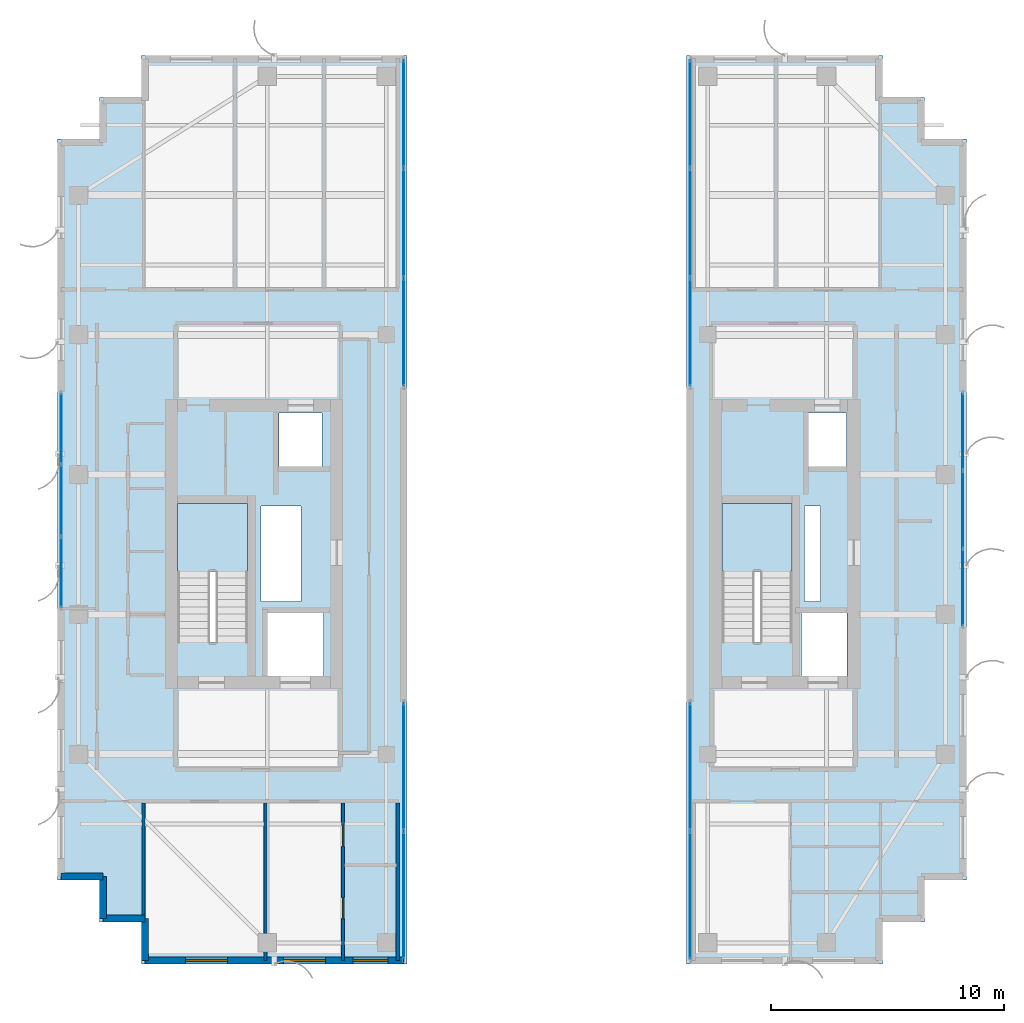
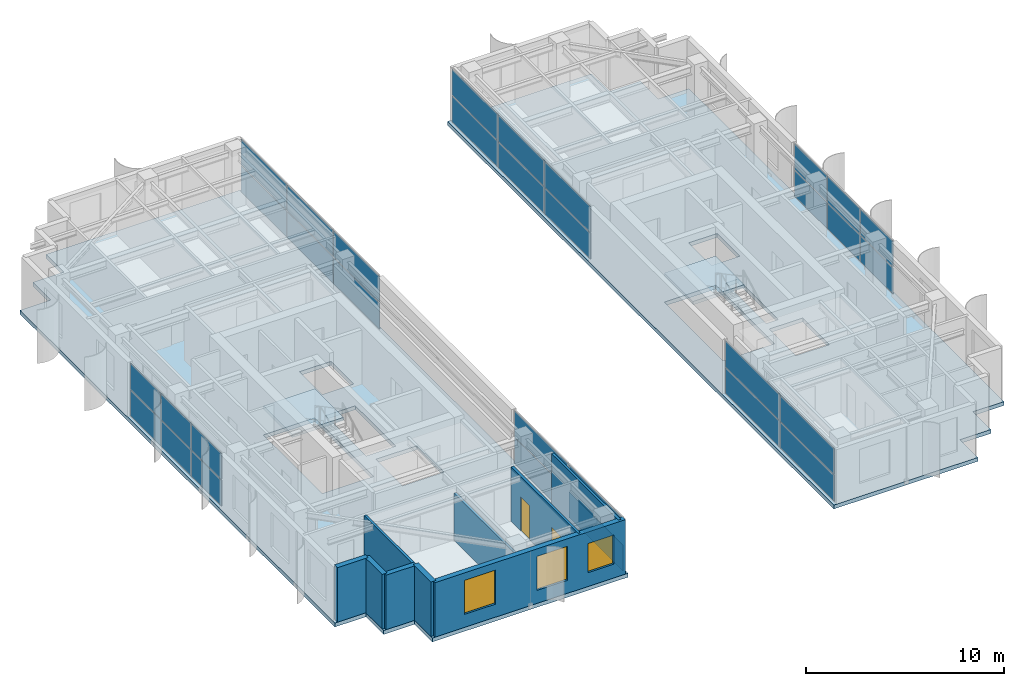
# One storey, part 17 of 24: 32 plates, 9 walls, 4 slabs, 3 windows, 2 doors, 5 openings, 8 elements without a shape of their own.
"""IFC4 building model written with IfcOpenShell, lengths in metres."""

from ifc_helpers import new_model, si_unit, direction, frame, frame_2d, origin, origin_2d, place, context, subcontext, project, spatial, polyline, rectangle, outline, extrude, source, transform, mapped, material, layer, layer_set, type_object, element, fill, aggregate, save


model = new_model("IFC4")

# Units and contexts
model_context = context("Model", 3, precision=1e-05, world=origin(), true_north=direction((0.0, 1.0)))
body_context = subcontext(model_context, "Body", "Model", "MODEL_VIEW")
ifc_project = project(units=[si_unit("LENGTHUNIT", "METRE"), si_unit("AREAUNIT", "SQUARE_METRE"), si_unit("VOLUMEUNIT", "CUBIC_METRE"), si_unit("PLANEANGLEUNIT", "RADIAN"), si_unit("MASSUNIT", "GRAM", prefix="KILO")], contexts=[model_context])

# Site, building, storey
site_placement = place(None, origin())
site = spatial("IfcSite", under=ifc_project, at=site_placement, CompositionType="ELEMENT")
building_placement = place(site_placement, origin())
building = spatial("IfcBuilding", under=site, at=building_placement, Name="Khoralis Quay Care Tower", CompositionType="ELEMENT")
storey_placement = place(building_placement, frame((0.0, 0.0, 231.300048828125)))
storey = spatial("IfcBuildingStorey", under=building, at=storey_placement, Name="L60", CompositionType="ELEMENT", Elevation=231.300048828125)

# Stair, slab
ifc_material_1 = material(Name="Precast concrete C45/55", Category="concrete")
stair_type = type_object("IfcStairType", Name="ST-TWR-DOGLEG-1400", PredefinedType="HALF_TURN_STAIR", material=ifc_material_1)
stair_1_placement = place(storey_placement, origin())
stair_1 = element("IfcStair", 1, at=stair_1_placement, inside=storey, type_object=stair_type, Name="L60 West Core Exit Stair ST-T1", PredefinedType="HALF_TURN_STAIR")
ifc_layer_1 = layer(ifc_material_1, 0.199951171875)
ifc_layer_set_1 = layer_set([ifc_layer_1], Name="Precast concrete C45/55")
slab_type_1 = type_object("IfcSlabType", Name="SLB-LANDING-200", PredefinedType="LANDING", material=ifc_layer_set_1)
slab_1_placement = place(storey_placement, frame((0.0, 0.0, 1.599853515625)))
slab_1 = element("IfcSlab", 2, at=slab_1_placement, type_object=slab_type_1, Name="ST-T1 landing 1", PredefinedType="LANDING", context=body_context, shape_type="SweptSolid", body=[
    extrude(outline(polyline([(11.14990234375, 19.840087890625), (11.14990234375, 22.75), (8.14990234375, 22.75), (8.14990234375, 19.840087890625), (11.14990234375, 19.840087890625)])), origin(), (0.0, 0.0, 1.0), 0.2001953125),
])
aggregate(stair_1, [slab_1])

stair_2_placement = place(storey_placement, origin())
stair_2 = element("IfcStair", 3, at=stair_2_placement, inside=storey, type_object=stair_type, Name="L60 East Core Exit Stair ST-T2", PredefinedType="HALF_TURN_STAIR")
slab_2_placement = place(storey_placement, frame((0.0, 0.0, 1.599853515625)))
slab_2 = element("IfcSlab", 4, at=slab_2_placement, type_object=slab_type_1, Name="ST-T2 landing 1", PredefinedType="LANDING", context=body_context, shape_type="SweptSolid", body=[
    extrude(outline(polyline([(34.52001953125, 19.840087890625), (34.52001953125, 22.75), (31.52001953125, 22.75), (31.52001953125, 19.840087890625), (34.52001953125, 19.840087890625)])), origin(), (0.0, 0.0, 1.0), 0.2001953125),
])
aggregate(stair_2, [slab_2])

# Slabs
ifc_material_2 = material(Name="Concrete C40/50", Category="concrete")
ifc_layer_2 = layer(ifc_material_2, 0.239990234375)
ifc_layer_set_2 = layer_set([ifc_layer_2], Name="Concrete C40/50")
slab_type_2 = type_object("IfcSlabType", Name="SLB-TWR-240", PredefinedType="FLOOR", material=ifc_layer_set_2)
slab_3_placement = place(storey_placement, frame((0.0, 0.0, -0.239990234375)))
element("IfcSlab", 5, at=slab_3_placement, inside=storey, type_object=slab_type_2, Name="Tower Wing 1 Slab L60", PredefinedType="FLOOR", context=body_context, shape_type="SweptSolid", body=[
    extrude(outline(polyline([(6.60009765625, 3.0), (18.0, 3.0), (18.0, 42.0), (6.60009765625, 42.0), (6.60009765625, 40.199951171875), (4.800048828125, 40.199951171875), (4.800048828125, 38.39990234375), (3.0, 38.39990234375), (3.0, 6.60009765625), (4.800048828125, 6.60009765625), (4.800048828125, 4.800048828125), (6.60009765625, 4.800048828125), (6.60009765625, 3.0)]), holes=[polyline([(11.14990234375, 16.800048828125), (11.14990234375, 22.75), (8.14990234375, 22.75), (8.14990234375, 16.800048828125), (11.14990234375, 16.800048828125)]), polyline([(12.0, 15.35009765625), (14.39990234375, 15.35009765625), (14.39990234375, 18.050048828125), (12.0, 18.050048828125), (12.0, 15.35009765625)]), polyline([(12.5, 24.35009765625), (14.35009765625, 24.35009765625), (14.35009765625, 26.64990234375), (12.5, 26.64990234375), (12.5, 24.35009765625)]), polyline([(11.719970703125, 18.550048828125), (13.449951171875, 18.550048828125), (13.449951171875, 22.64990234375), (11.719970703125, 22.64990234375), (11.719970703125, 18.550048828125)])]), origin(), (0.0, 0.0, 1.0), 0.239990234375),
])
slab_4_placement = place(storey_placement, frame((0.0, 0.0, -0.239990234375)))
element("IfcSlab", 6, at=slab_4_placement, inside=storey, type_object=slab_type_2, Name="Tower Wing 2 Slab L60", PredefinedType="FLOOR", context=body_context, shape_type="SweptSolid", body=[
    extrude(outline(polyline([(30.0, 3.0), (38.39990234375, 3.0), (38.39990234375, 4.800048828125), (40.199951171875, 4.800048828125), (40.199951171875, 6.60009765625), (42.0, 6.60009765625), (42.0, 38.39990234375), (40.199951171875, 38.39990234375), (40.199951171875, 40.199951171875), (38.39990234375, 40.199951171875), (38.39990234375, 42.0), (30.0, 42.0), (30.0, 3.0)]), holes=[polyline([(34.52001953125, 16.800048828125), (34.52001953125, 22.75), (31.52001953125, 22.75), (31.52001953125, 16.800048828125), (34.52001953125, 16.800048828125)]), polyline([(34.919921875, 15.35009765625), (36.8798828125, 15.35009765625), (36.8798828125, 18.050048828125), (34.919921875, 18.050048828125), (34.919921875, 15.35009765625)]), polyline([(35.199951171875, 24.35009765625), (36.85009765625, 24.35009765625), (36.85009765625, 26.64990234375), (35.199951171875, 26.64990234375), (35.199951171875, 24.35009765625)]), polyline([(35.050048828125, 18.550048828125), (35.75, 18.550048828125), (35.75, 22.64990234375), (35.050048828125, 22.64990234375), (35.050048828125, 18.550048828125)])]), origin(), (0.0, 0.0, 1.0), 0.239990234375),
])

# Curtain wall, plates
ifc_material_3 = material(Name="Pale anodised aluminium", Category="aluminium")
ifc_layer_3 = layer(ifc_material_3, 0.18994140625)
ifc_layer_set_3 = layer_set([ifc_layer_3], Name="Pale anodised aluminium")
curtain_wall_type_1 = type_object("IfcCurtainWallType", Name="CW-SYS-PORTAL", PredefinedType="NOTDEFINED", material=ifc_layer_set_3)
curtain_wall_1_placement = place(storey_placement, origin())
curtain_wall_1 = element("IfcCurtainWall", 7, at=curtain_wall_1_placement, inside=storey, type_object=curtain_wall_type_1, Name="L60 Unitised Curtain Wall CW-VP-L60-P1-S", PredefinedType="NOTDEFINED")
ifc_material_4 = material(Name="Low-E solar-control double glazing", Category="glass")
ifc_layer_4 = layer(ifc_material_4, 0.031982421875)
ifc_layer_set_4 = layer_set([ifc_layer_4], Name="Low-E solar-control double glazing")
plate_type = type_object("IfcPlateType", Name="PNL-VIS-32", PredefinedType="CURTAIN_PANEL", material=ifc_layer_set_4)
shared_shape_1 = source(origin(), body_context, "Body", "SweptSolid", [
    extrude(rectangle(XDim=5.4599609375, YDim=0.028076171875, at=origin_2d()), origin(), (0.0, 0.0, 1.0), 1.590087890625),
])
plate_1_placement = place(storey_placement, frame((17.85009765625, 5.93994140625, 0.06005859375), z_axis=(0.0, 0.0, 1.0), x_axis=(0.0, 1.0, 0.0)))
plate_1 = element("IfcPlate", 8, at=plate_1_placement, type_object=plate_type, Name="CW4 panel 1.1", PredefinedType="CURTAIN_PANEL", context=body_context, shape_type="MappedRepresentation", body=[
    mapped(shared_shape_1, transform((0.0, 0.0, 0.0), scale=1.0)),
])
plate_2_placement = place(storey_placement, frame((17.85009765625, 5.93994140625, 1.7099609375), z_axis=(0.0, 0.0, 1.0), x_axis=(0.0, 1.0, 0.0)))
plate_2 = element("IfcPlate", 9, at=plate_2_placement, type_object=plate_type, Name="CW4 panel 1.2", PredefinedType="CURTAIN_PANEL", context=body_context, shape_type="MappedRepresentation", body=[
    mapped(shared_shape_1, transform((0.0, 0.0, 0.0), scale=1.0)),
])
plate_3_placement = place(storey_placement, frame((17.85009765625, 11.4599609375, 0.06005859375), z_axis=(0.0, 0.0, 1.0), x_axis=(0.0, 1.0, 0.0)))
plate_3 = element("IfcPlate", 10, at=plate_3_placement, type_object=plate_type, Name="CW4 panel 2.1", PredefinedType="CURTAIN_PANEL", context=body_context, shape_type="MappedRepresentation", body=[
    mapped(shared_shape_1, transform((0.0, 0.0, 0.0), scale=1.0)),
])
plate_4_placement = place(storey_placement, frame((17.85009765625, 11.4599609375, 1.7099609375), z_axis=(0.0, 0.0, 1.0), x_axis=(0.0, 1.0, 0.0)))
plate_4 = element("IfcPlate", 11, at=plate_4_placement, type_object=plate_type, Name="CW4 panel 2.2", PredefinedType="CURTAIN_PANEL", context=body_context, shape_type="MappedRepresentation", body=[
    mapped(shared_shape_1, transform((0.0, 0.0, 0.0), scale=1.0)),
])
aggregate(curtain_wall_1, [plate_1, plate_2, plate_3, plate_4])

curtain_wall_2_placement = place(storey_placement, origin())
curtain_wall_2 = element("IfcCurtainWall", 12, at=curtain_wall_2_placement, inside=storey, type_object=curtain_wall_type_1, Name="L60 Unitised Curtain Wall CW-VP-L60-P2-S", PredefinedType="NOTDEFINED")
plate_5_placement = place(storey_placement, frame((30.14990234375, 5.93994140625, 0.06005859375), z_axis=(0.0, 0.0, 1.0), x_axis=(0.0, 1.0, 0.0)))
plate_5 = element("IfcPlate", 13, at=plate_5_placement, type_object=plate_type, Name="CW4 panel 1.1", PredefinedType="CURTAIN_PANEL", context=body_context, shape_type="MappedRepresentation", body=[
    mapped(shared_shape_1, transform((0.0, 0.0, 0.0), scale=1.0)),
])
plate_6_placement = place(storey_placement, frame((30.14990234375, 5.93994140625, 1.7099609375), z_axis=(0.0, 0.0, 1.0), x_axis=(0.0, 1.0, 0.0)))
plate_6 = element("IfcPlate", 14, at=plate_6_placement, type_object=plate_type, Name="CW4 panel 1.2", PredefinedType="CURTAIN_PANEL", context=body_context, shape_type="MappedRepresentation", body=[
    mapped(shared_shape_1, transform((0.0, 0.0, 0.0), scale=1.0)),
])
plate_7_placement = place(storey_placement, frame((30.14990234375, 11.4599609375, 0.06005859375), z_axis=(0.0, 0.0, 1.0), x_axis=(0.0, 1.0, 0.0)))
plate_7 = element("IfcPlate", 15, at=plate_7_placement, type_object=plate_type, Name="CW4 panel 2.1", PredefinedType="CURTAIN_PANEL", context=body_context, shape_type="MappedRepresentation", body=[
    mapped(shared_shape_1, transform((0.0, 0.0, 0.0), scale=1.0)),
])
plate_8_placement = place(storey_placement, frame((30.14990234375, 11.4599609375, 1.7099609375), z_axis=(0.0, 0.0, 1.0), x_axis=(0.0, 1.0, 0.0)))
plate_8 = element("IfcPlate", 16, at=plate_8_placement, type_object=plate_type, Name="CW4 panel 2.2", PredefinedType="CURTAIN_PANEL", context=body_context, shape_type="MappedRepresentation", body=[
    mapped(shared_shape_1, transform((0.0, 0.0, 0.0), scale=1.0)),
])
aggregate(curtain_wall_2, [plate_5, plate_6, plate_7, plate_8])

curtain_wall_3_placement = place(storey_placement, origin())
curtain_wall_3 = element("IfcCurtainWall", 17, at=curtain_wall_3_placement, inside=storey, type_object=curtain_wall_type_1, Name="L60 Unitised Curtain Wall CW-VP-L60-P1-N", PredefinedType="NOTDEFINED")
shared_shape_2 = source(origin(), body_context, "Body", "SweptSolid", [
    extrude(rectangle(XDim=4.610107421875, YDim=0.028076171875, at=origin_2d()), origin(), (0.0, 0.0, 1.0), 1.590087890625),
])
plate_9_placement = place(storey_placement, frame((17.85009765625, 30.114990234375, 0.06005859375), z_axis=(0.0, 0.0, 1.0), x_axis=(0.0, 1.0, 0.0)))
plate_9 = element("IfcPlate", 18, at=plate_9_placement, type_object=plate_type, Name="CW4 panel 1.1", PredefinedType="CURTAIN_PANEL", context=body_context, shape_type="MappedRepresentation", body=[
    mapped(shared_shape_2, transform((0.0, 0.0, 0.0), scale=1.0)),
])
plate_10_placement = place(storey_placement, frame((17.85009765625, 30.114990234375, 1.7099609375), z_axis=(0.0, 0.0, 1.0), x_axis=(0.0, 1.0, 0.0)))
plate_10 = element("IfcPlate", 19, at=plate_10_placement, type_object=plate_type, Name="CW4 panel 1.2", PredefinedType="CURTAIN_PANEL", context=body_context, shape_type="MappedRepresentation", body=[
    mapped(shared_shape_2, transform((0.0, 0.0, 0.0), scale=1.0)),
])
plate_11_placement = place(storey_placement, frame((17.85009765625, 39.485107421875, 0.06005859375), z_axis=(0.0, 0.0, 1.0), x_axis=(0.0, 1.0, 0.0)))
plate_11 = element("IfcPlate", 20, at=plate_11_placement, type_object=plate_type, Name="CW4 panel 3.1", PredefinedType="CURTAIN_PANEL", context=body_context, shape_type="MappedRepresentation", body=[
    mapped(shared_shape_2, transform((0.0, 0.0, 0.0), scale=1.0)),
])
plate_12_placement = place(storey_placement, frame((17.85009765625, 39.485107421875, 1.7099609375), z_axis=(0.0, 0.0, 1.0), x_axis=(0.0, 1.0, 0.0)))
plate_12 = element("IfcPlate", 21, at=plate_12_placement, type_object=plate_type, Name="CW4 panel 3.2", PredefinedType="CURTAIN_PANEL", context=body_context, shape_type="MappedRepresentation", body=[
    mapped(shared_shape_2, transform((0.0, 0.0, 0.0), scale=1.0)),
])

curtain_wall_4_placement = place(storey_placement, origin())
curtain_wall_4 = element("IfcCurtainWall", 22, at=curtain_wall_4_placement, inside=storey, type_object=curtain_wall_type_1, Name="L60 Unitised Curtain Wall CW-VP-L60-P2-N", PredefinedType="NOTDEFINED")
plate_13_placement = place(storey_placement, frame((30.14990234375, 30.114990234375, 0.06005859375), z_axis=(0.0, 0.0, 1.0), x_axis=(0.0, 1.0, 0.0)))
plate_13 = element("IfcPlate", 23, at=plate_13_placement, type_object=plate_type, Name="CW4 panel 1.1", PredefinedType="CURTAIN_PANEL", context=body_context, shape_type="MappedRepresentation", body=[
    mapped(shared_shape_2, transform((0.0, 0.0, 0.0), scale=1.0)),
])
plate_14_placement = place(storey_placement, frame((30.14990234375, 30.114990234375, 1.7099609375), z_axis=(0.0, 0.0, 1.0), x_axis=(0.0, 1.0, 0.0)))
plate_14 = element("IfcPlate", 24, at=plate_14_placement, type_object=plate_type, Name="CW4 panel 1.2", PredefinedType="CURTAIN_PANEL", context=body_context, shape_type="MappedRepresentation", body=[
    mapped(shared_shape_2, transform((0.0, 0.0, 0.0), scale=1.0)),
])
plate_15_placement = place(storey_placement, frame((30.14990234375, 39.485107421875, 0.06005859375), z_axis=(0.0, 0.0, 1.0), x_axis=(0.0, 1.0, 0.0)))
plate_15 = element("IfcPlate", 25, at=plate_15_placement, type_object=plate_type, Name="CW4 panel 3.1", PredefinedType="CURTAIN_PANEL", context=body_context, shape_type="MappedRepresentation", body=[
    mapped(shared_shape_2, transform((0.0, 0.0, 0.0), scale=1.0)),
])
plate_16_placement = place(storey_placement, frame((30.14990234375, 39.485107421875, 1.7099609375), z_axis=(0.0, 0.0, 1.0), x_axis=(0.0, 1.0, 0.0)))
plate_16 = element("IfcPlate", 26, at=plate_16_placement, type_object=plate_type, Name="CW4 panel 3.2", PredefinedType="CURTAIN_PANEL", context=body_context, shape_type="MappedRepresentation", body=[
    mapped(shared_shape_2, transform((0.0, 0.0, 0.0), scale=1.0)),
])

# Plate
shared_shape_3 = source(origin(), body_context, "Body", "SweptSolid", [
    extrude(rectangle(XDim=4.639892578125, YDim=0.028076171875, at=origin_2d()), origin(), (0.0, 0.0, 1.0), 1.590087890625),
])
plate_17_placement = place(storey_placement, frame((17.85009765625, 34.800048828125, 0.06005859375), z_axis=(0.0, 0.0, 1.0), x_axis=(0.0, 1.0, 0.0)))
plate_17 = element("IfcPlate", 27, at=plate_17_placement, type_object=plate_type, Name="CW4 panel 2.1", PredefinedType="CURTAIN_PANEL", context=body_context, shape_type="MappedRepresentation", body=[
    mapped(shared_shape_3, transform((0.0, 0.0, 0.0), scale=1.0)),
])

plate_18_placement = place(storey_placement, frame((17.85009765625, 34.800048828125, 1.7099609375), z_axis=(0.0, 0.0, 1.0), x_axis=(0.0, 1.0, 0.0)))
plate_18 = element("IfcPlate", 28, at=plate_18_placement, type_object=plate_type, Name="CW4 panel 2.2", PredefinedType="CURTAIN_PANEL", context=body_context, shape_type="MappedRepresentation", body=[
    mapped(shared_shape_3, transform((0.0, 0.0, 0.0), scale=1.0)),
])

aggregate(curtain_wall_3, [plate_9, plate_10, plate_17, plate_18, plate_11, plate_12])

plate_19_placement = place(storey_placement, frame((30.14990234375, 34.800048828125, 0.06005859375), z_axis=(0.0, 0.0, 1.0), x_axis=(0.0, 1.0, 0.0)))
plate_19 = element("IfcPlate", 29, at=plate_19_placement, type_object=plate_type, Name="CW4 panel 2.1", PredefinedType="CURTAIN_PANEL", context=body_context, shape_type="MappedRepresentation", body=[
    mapped(shared_shape_3, transform((0.0, 0.0, 0.0), scale=1.0)),
])

plate_20_placement = place(storey_placement, frame((30.14990234375, 34.800048828125, 1.7099609375), z_axis=(0.0, 0.0, 1.0), x_axis=(0.0, 1.0, 0.0)))
plate_20 = element("IfcPlate", 30, at=plate_20_placement, type_object=plate_type, Name="CW4 panel 2.2", PredefinedType="CURTAIN_PANEL", context=body_context, shape_type="MappedRepresentation", body=[
    mapped(shared_shape_3, transform((0.0, 0.0, 0.0), scale=1.0)),
])

aggregate(curtain_wall_4, [plate_13, plate_14, plate_19, plate_20, plate_15, plate_16])

# Curtain wall, plates
ifc_layer_5 = layer(ifc_material_3, 0.159912109375)
ifc_layer_set_5 = layer_set([ifc_layer_5], Name="Pale anodised aluminium")
curtain_wall_type_2 = type_object("IfcCurtainWallType", Name="CW-SYS-Z3", PredefinedType="NOTDEFINED", material=ifc_layer_set_5)
curtain_wall_5_placement = place(storey_placement, origin())
curtain_wall_5 = element("IfcCurtainWall", 31, at=curtain_wall_5_placement, inside=storey, type_object=curtain_wall_type_2, Name="L60 Unitised Curtain Wall CW-L60-P2-E5", PredefinedType="NOTDEFINED")
shared_shape_4 = source(origin(), body_context, "Body", "SweptSolid", [
    extrude(rectangle(XDim=3.27001953125, YDim=0.028076171875, at=origin_2d()), origin(), (0.0, 0.0, 1.0), 1.590087890625),
])
plate_21_placement = place(storey_placement, frame((41.85009765625, 19.155029296875, 0.06005859375), z_axis=(0.0, 0.0, 1.0), x_axis=(0.0, 1.0, 0.0)))
plate_21 = element("IfcPlate", 32, at=plate_21_placement, type_object=plate_type, Name="CW3 panel 1.1", PredefinedType="CURTAIN_PANEL", context=body_context, shape_type="MappedRepresentation", body=[
    mapped(shared_shape_4, transform((0.0, 0.0, 0.0), scale=1.0)),
])
plate_22_placement = place(storey_placement, frame((41.85009765625, 19.155029296875, 1.7099609375), z_axis=(0.0, 0.0, 1.0), x_axis=(0.0, 1.0, 0.0)))
plate_22 = element("IfcPlate", 33, at=plate_22_placement, type_object=plate_type, Name="CW3 panel 1.2", PredefinedType="CURTAIN_PANEL", context=body_context, shape_type="MappedRepresentation", body=[
    mapped(shared_shape_4, transform((0.0, 0.0, 0.0), scale=1.0)),
])
plate_23_placement = place(storey_placement, frame((41.85009765625, 25.844970703125, 0.06005859375), z_axis=(0.0, 0.0, 1.0), x_axis=(0.0, 1.0, 0.0)))
plate_23 = element("IfcPlate", 34, at=plate_23_placement, type_object=plate_type, Name="CW3 panel 3.1", PredefinedType="CURTAIN_PANEL", context=body_context, shape_type="MappedRepresentation", body=[
    mapped(shared_shape_4, transform((0.0, 0.0, 0.0), scale=1.0)),
])
plate_24_placement = place(storey_placement, frame((41.85009765625, 25.844970703125, 1.7099609375), z_axis=(0.0, 0.0, 1.0), x_axis=(0.0, 1.0, 0.0)))
plate_24 = element("IfcPlate", 35, at=plate_24_placement, type_object=plate_type, Name="CW3 panel 3.2", PredefinedType="CURTAIN_PANEL", context=body_context, shape_type="MappedRepresentation", body=[
    mapped(shared_shape_4, transform((0.0, 0.0, 0.0), scale=1.0)),
])
shared_shape_5 = source(origin(), body_context, "Body", "SweptSolid", [
    extrude(rectangle(XDim=3.300048828125, YDim=0.028076171875, at=origin_2d()), origin(), (0.0, 0.0, 1.0), 1.590087890625),
])
plate_25_placement = place(storey_placement, frame((41.85009765625, 22.5, 0.06005859375), z_axis=(0.0, 0.0, 1.0), x_axis=(0.0, 1.0, 0.0)))
plate_25 = element("IfcPlate", 36, at=plate_25_placement, type_object=plate_type, Name="CW3 panel 2.1", PredefinedType="CURTAIN_PANEL", context=body_context, shape_type="MappedRepresentation", body=[
    mapped(shared_shape_5, transform((0.0, 0.0, 0.0), scale=1.0)),
])
plate_26_placement = place(storey_placement, frame((41.85009765625, 22.5, 1.7099609375), z_axis=(0.0, 0.0, 1.0), x_axis=(0.0, 1.0, 0.0)))
plate_26 = element("IfcPlate", 37, at=plate_26_placement, type_object=plate_type, Name="CW3 panel 2.2", PredefinedType="CURTAIN_PANEL", context=body_context, shape_type="MappedRepresentation", body=[
    mapped(shared_shape_5, transform((0.0, 0.0, 0.0), scale=1.0)),
])
aggregate(curtain_wall_5, [plate_21, plate_22, plate_25, plate_26, plate_23, plate_24])

curtain_wall_6_placement = place(storey_placement, origin())
curtain_wall_6 = element("IfcCurtainWall", 38, at=curtain_wall_6_placement, inside=storey, type_object=curtain_wall_type_2, Name="L60 Unitised Curtain Wall CW-L60-P1-E7", PredefinedType="NOTDEFINED")
shared_shape_6 = source(origin(), body_context, "Body", "SweptSolid", [
    extrude(rectangle(XDim=3.006591796875, YDim=0.028076171875, at=origin_2d()), origin(), (0.0, 0.0, 1.0), 1.590087890625),
])
plate_27_placement = place(storey_placement, frame((3.14990234375, 25.9765625, 0.06005859375), z_axis=(0.0, 0.0, 1.0), x_axis=(0.0, -1.0, 0.0)))
plate_27 = element("IfcPlate", 39, at=plate_27_placement, type_object=plate_type, Name="CW3 panel 1.1", PredefinedType="CURTAIN_PANEL", context=body_context, shape_type="MappedRepresentation", body=[
    mapped(shared_shape_6, transform((0.0, 0.0, 0.0), scale=1.0)),
])
plate_28_placement = place(storey_placement, frame((3.14990234375, 25.9765625, 1.7099609375), z_axis=(0.0, 0.0, 1.0), x_axis=(0.0, -1.0, 0.0)))
plate_28 = element("IfcPlate", 40, at=plate_28_placement, type_object=plate_type, Name="CW3 panel 1.2", PredefinedType="CURTAIN_PANEL", context=body_context, shape_type="MappedRepresentation", body=[
    mapped(shared_shape_6, transform((0.0, 0.0, 0.0), scale=1.0)),
])
plate_29_placement = place(storey_placement, frame((3.14990234375, 19.813232421875, 0.06005859375), z_axis=(0.0, 0.0, 1.0), x_axis=(0.0, -1.0, 0.0)))
plate_29 = element("IfcPlate", 41, at=plate_29_placement, type_object=plate_type, Name="CW3 panel 3.1", PredefinedType="CURTAIN_PANEL", context=body_context, shape_type="MappedRepresentation", body=[
    mapped(shared_shape_6, transform((0.0, 0.0, 0.0), scale=1.0)),
])
plate_30_placement = place(storey_placement, frame((3.14990234375, 19.813232421875, 1.7099609375), z_axis=(0.0, 0.0, 1.0), x_axis=(0.0, -1.0, 0.0)))
plate_30 = element("IfcPlate", 42, at=plate_30_placement, type_object=plate_type, Name="CW3 panel 3.2", PredefinedType="CURTAIN_PANEL", context=body_context, shape_type="MappedRepresentation", body=[
    mapped(shared_shape_6, transform((0.0, 0.0, 0.0), scale=1.0)),
])
shared_shape_7 = source(origin(), body_context, "Body", "SweptSolid", [
    extrude(rectangle(XDim=3.03662109375, YDim=0.028076171875, at=origin_2d()), origin(), (0.0, 0.0, 1.0), 1.590087890625),
])
plate_31_placement = place(storey_placement, frame((3.14990234375, 22.89501953125, 0.06005859375), z_axis=(0.0, 0.0, 1.0), x_axis=(0.0, -1.0, 0.0)))
plate_31 = element("IfcPlate", 43, at=plate_31_placement, type_object=plate_type, Name="CW3 panel 2.1", PredefinedType="CURTAIN_PANEL", context=body_context, shape_type="MappedRepresentation", body=[
    mapped(shared_shape_7, transform((0.0, 0.0, 0.0), scale=1.0)),
])
plate_32_placement = place(storey_placement, frame((3.14990234375, 22.89501953125, 1.7099609375), z_axis=(0.0, 0.0, 1.0), x_axis=(0.0, -1.0, 0.0)))
plate_32 = element("IfcPlate", 44, at=plate_32_placement, type_object=plate_type, Name="CW3 panel 2.2", PredefinedType="CURTAIN_PANEL", context=body_context, shape_type="MappedRepresentation", body=[
    mapped(shared_shape_7, transform((0.0, 0.0, 0.0), scale=1.0)),
])
aggregate(curtain_wall_6, [plate_27, plate_28, plate_31, plate_32, plate_29, plate_30])

# Wall, openings, windows
ifc_layer_6 = layer(ifc_material_1, 0.300048828125)
ifc_layer_set_6 = layer_set([ifc_layer_6], Name="Precast concrete C45/55")
wall_type_1 = type_object("IfcWallType", Name="WL-EXT-REF-300", PredefinedType="SOLIDWALL", material=ifc_layer_set_6)
wall_1_placement = place(storey_placement, frame((6.75, 3.14990234375, 0.0), z_axis=(0.0, 0.0, 1.0), x_axis=(1.0, 0.0, 0.0)))
wall_1 = element("IfcWall", 45, at=wall_1_placement, inside=storey, type_object=wall_type_1, Name="L60 External Facade Wall WL-EXT-L60-P1-E0", PredefinedType="SOLIDWALL", context=body_context, shape_type="SweptSolid", body=[
    extrude(rectangle(XDim=11.10009765625, YDim=0.300048828125, at=frame_2d((5.550048828125, 0.0))), origin(), (0.0, 0.0, 1.0), 3.35986328125),
])
opening_1_placement = place(wall_1_placement, frame((1.735107421875, 0.0, 0.800048828125)))
opening_1 = element("IfcOpeningElement", 46, at=opening_1_placement, cuts=wall_1, Name="Opening W2", PredefinedType="OPENING", context=body_context, shape_type="SweptSolid", body=[
    extrude(rectangle(XDim=1.800048828125, YDim=2.10009765625, at=frame_2d((0.89990234375, 1.050048828125))), frame((0.0, 0.16015625, 0.0), z_axis=(0.0, -1.0, 0.0), x_axis=(1.0, 0.0, 0.0)), (0.0, 0.0, 1.0), 0.320068359375),
])
opening_2_placement = place(wall_1_placement, frame((5.93505859375, 0.0, 0.800048828125)))
opening_2 = element("IfcOpeningElement", 47, at=opening_2_placement, cuts=wall_1, Name="Opening W2", PredefinedType="OPENING", context=body_context, shape_type="SweptSolid", body=[
    extrude(rectangle(XDim=1.800048828125, YDim=2.10009765625, at=frame_2d((0.89990234375, 1.050048828125))), frame((0.0, 0.16015625, 0.0), z_axis=(0.0, -1.0, 0.0), x_axis=(1.0, 0.0, 0.0)), (0.0, 0.0, 1.0), 0.320068359375),
])
opening_3_placement = place(wall_1_placement, frame((8.925048828125, 0.0, 0.85009765625)))
opening_3 = element("IfcOpeningElement", 48, at=opening_3_placement, cuts=wall_1, Name="Opening W3", PredefinedType="OPENING", context=body_context, shape_type="SweptSolid", body=[
    extrude(rectangle(XDim=1.5, YDim=1.800048828125, at=frame_2d((0.75, 0.89990234375))), frame((0.0, 0.16015625, 0.0), z_axis=(0.0, -1.0, 0.0), x_axis=(1.0, 0.0, 0.0)), (0.0, 0.0, 1.0), 0.320068359375),
])
window_type_1 = type_object("IfcWindowType", Name="WN-CLIN-1500X1800", PartitioningType="SINGLE_PANEL", PredefinedType="WINDOW", material=ifc_material_4)
shared_shape_8 = source(origin(), body_context, "Body", "SweptSolid", [
    extrude(rectangle(XDim=1.5, YDim=1.800048828125, at=frame_2d((0.75, 0.89990234375))), frame((0.0, 0.030029296875, 0.0), z_axis=(0.0, -1.0, 0.0), x_axis=(1.0, 0.0, 0.0)), (0.0, 0.0, 1.0), 0.06005859375),
])
window_1_placement = place(opening_3_placement, origin())
window_1 = element("IfcWindow", 49, at=window_1_placement, inside=storey, type_object=window_type_1, Name="WN-L60-P1-E0 Facade Window 03", OverallHeight=1.800048828125, OverallWidth=1.5, PartitioningType="SINGLE_PANEL", PredefinedType="WINDOW", context=body_context, shape_type="MappedRepresentation", body=[
    mapped(shared_shape_8, transform((0.0, 0.0, 0.0), scale=1.0)),
])
fill(opening_3, window_1)
window_type_2 = type_object("IfcWindowType", Name="WN-POD-1800X2100", PartitioningType="SINGLE_PANEL", PredefinedType="WINDOW", material=ifc_material_4)
shared_shape_9 = source(origin(), body_context, "Body", "SweptSolid", [
    extrude(rectangle(XDim=1.800048828125, YDim=2.10009765625, at=frame_2d((0.89990234375, 1.050048828125))), frame((0.0, 0.030029296875, 0.0), z_axis=(0.0, -1.0, 0.0), x_axis=(1.0, 0.0, 0.0)), (0.0, 0.0, 1.0), 0.06005859375),
])
window_2_placement = place(opening_1_placement, origin())
window_2 = element("IfcWindow", 50, at=window_2_placement, inside=storey, type_object=window_type_2, Name="WN-L60-P1-E0 Facade Window 01", OverallHeight=2.10009765625, OverallWidth=1.800048828125, PartitioningType="SINGLE_PANEL", PredefinedType="WINDOW", context=body_context, shape_type="MappedRepresentation", body=[
    mapped(shared_shape_9, transform((0.0, 0.0, 0.0), scale=1.0)),
])
fill(opening_1, window_2)
window_3_placement = place(opening_2_placement, origin())
window_3 = element("IfcWindow", 51, at=window_3_placement, inside=storey, type_object=window_type_2, Name="WN-L60-P1-E0 Facade Window 02", OverallHeight=2.10009765625, OverallWidth=1.800048828125, PartitioningType="SINGLE_PANEL", PredefinedType="WINDOW", context=body_context, shape_type="MappedRepresentation", body=[
    mapped(shared_shape_9, transform((0.0, 0.0, 0.0), scale=1.0)),
])
fill(opening_2, window_3)

# Walls
for number, where, z_axis, x_axis, name in (
    (52, (3.14990234375, 6.75, 0.0), (0.0, 0.0, 1.0), (1.0, 0.0, 0.0), "L60 External Facade Wall WL-EXT-L60-P1-C8"),
    (53, (4.949951171875, 6.75, 0.0), (0.0, 0.0, 1.0), (0.0, -1.0, 0.0), "L60 External Facade Wall WL-EXT-L60-P1-C9"),
    (54, (4.949951171875, 4.949951171875, 0.0), (0.0, 0.0, 1.0), (1.0, 0.0, 0.0), "L60 External Facade Wall WL-EXT-L60-P1-C10"),
    (55, (6.75, 4.949951171875, 0.0), (0.0, 0.0, 1.0), (0.0, -1.0, 0.0), "L60 External Facade Wall WL-EXT-L60-P1-C11"),
):
    element("IfcWall", number, at=place(storey_placement, frame(where, z_axis=z_axis, x_axis=x_axis)), inside=storey, type_object=wall_type_1, Name=name, PredefinedType="SOLIDWALL", context=body_context, shape_type="SweptSolid", body=[
        extrude(rectangle(XDim=1.800048828125, YDim=0.300048828125, at=frame_2d((0.89990234375, 0.0))), origin(), (0.0, 0.0, 1.0), 3.35986328125),
    ])

# Wall, openings, doors
ifc_material_5 = material(Name="Moisture-resistant gypsum and ceramic tile")
ifc_layer_7 = layer(ifc_material_5, 0.280029296875)
ifc_layer_set_7 = layer_set([ifc_layer_7], Name="Moisture-resistant gypsum and ceramic tile")
wall_type_2 = type_object("IfcWallType", Name="WL-PLUMB-280", PredefinedType="PLUMBINGWALL", material=ifc_layer_set_7)
wall_2_placement = place(storey_placement, frame((15.25, 3.14501953125, 0.0), z_axis=(0.0, 0.0, 1.0), x_axis=(0.0, 1.0, 0.0)))
wall_2 = element("IfcWall", 56, at=wall_2_placement, inside=storey, type_object=wall_type_2, Name="L60 Care Suite 1 En-Suite Wall V", PredefinedType="PLUMBINGWALL", context=body_context, shape_type="SweptSolid", body=[
    extrude(rectangle(XDim=6.757568359375, YDim=0.139892578125, at=frame_2d((3.37890625, 0.0))), origin(), (0.0, 0.0, 1.0), 3.35986328125),
])
opening_4_placement = place(wall_2_placement, frame((4.89501953125, 0.0, 0.0)))
opening_4 = element("IfcOpeningElement", 57, at=opening_4_placement, cuts=wall_2, Name="Opening WD1", PredefinedType="OPENING", context=body_context, shape_type="SweptSolid", body=[
    extrude(rectangle(XDim=0.89990234375, YDim=2.10009765625, at=frame_2d((0.449951171875, 1.050048828125))), frame((0.0, 0.080078125, 0.0), z_axis=(0.0, -1.0, 0.0), x_axis=(1.0, 0.0, 0.0)), (0.0, 0.0, 1.0), 0.159912109375),
])
opening_5_placement = place(wall_2_placement, frame((1.794921875, 0.0, 0.0)))
opening_5 = element("IfcOpeningElement", 58, at=opening_5_placement, cuts=wall_2, Name="Opening WD1", PredefinedType="OPENING", context=body_context, shape_type="SweptSolid", body=[
    extrude(rectangle(XDim=0.89990234375, YDim=2.10009765625, at=frame_2d((0.449951171875, 1.050048828125))), frame((0.0, 0.080078125, 0.0), z_axis=(0.0, -1.0, 0.0), x_axis=(1.0, 0.0, 0.0)), (0.0, 0.0, 1.0), 0.159912109375),
])
ifc_material_6 = material(Name="Acoustic hardwood timber", Category="wood")
door_type = type_object("IfcDoorType", Name="DR-BATH-900X2100", OperationType="NOTDEFINED", PredefinedType="DOOR", material=ifc_material_6)
shared_shape_10 = source(origin(), body_context, "Body", "SweptSolid", [
    extrude(rectangle(XDim=0.89990234375, YDim=2.10009765625, at=frame_2d((0.449951171875, 1.050048828125))), frame((0.0, 0.02490234375, 0.0), z_axis=(0.0, -1.0, 0.0), x_axis=(1.0, 0.0, 0.0)), (0.0, 0.0, 1.0), 0.050048828125),
])
door_1_placement = place(opening_4_placement, frame((0.89990234375, 0.0, 0.0), z_axis=(0.0, 0.0, 1.0), x_axis=(-1.0, 0.0, 0.0)))
door_1 = element("IfcDoor", 59, at=door_1_placement, inside=storey, type_object=door_type, Name="L60 Care CENS Door", OperationType="SINGLE_SWING_LEFT", OverallHeight=2.10009765625, OverallWidth=0.89990234375, PredefinedType="DOOR", context=body_context, shape_type="MappedRepresentation", body=[
    mapped(shared_shape_10, transform((0.0, 0.0, 0.0), scale=1.0)),
])
fill(opening_4, door_1)
door_2_placement = place(opening_5_placement, frame((0.89990234375, 0.0, 0.0), z_axis=(0.0, 0.0, 1.0), x_axis=(-1.0, 0.0, 0.0)))
door_2 = element("IfcDoor", 60, at=door_2_placement, inside=storey, type_object=door_type, Name="L60 Care CSIT Door", OperationType="SINGLE_SWING_RIGHT", OverallHeight=2.10009765625, OverallWidth=0.89990234375, PredefinedType="DOOR", context=body_context, shape_type="MappedRepresentation", body=[
    mapped(shared_shape_10, transform((0.0, 0.0, 0.0), scale=1.0)),
])
fill(opening_5, door_2)

# Walls
ifc_material_7 = material(Name="Gypsum plasterboard on acoustic metal stud")
ifc_layer_8 = layer(ifc_material_7, 0.139892578125)
ifc_layer_set_8 = layer_set([ifc_layer_8], Name="Gypsum plasterboard on acoustic metal stud")
wall_type_3 = type_object("IfcWallType", Name="WL-UNIT-140", PredefinedType="PARTITIONING", material=ifc_layer_set_8)
wall_3_placement = place(storey_placement, frame((6.679931640625, 4.945068359375, 0.0), z_axis=(0.0, 0.0, 1.0), x_axis=(0.0, 1.0, 0.0)))
element("IfcWall", 61, at=wall_3_placement, inside=storey, type_object=wall_type_3, Name="L60 WS Demising Wall 0", PredefinedType="PARTITIONING", context=body_context, shape_type="SweptSolid", body=[
    extrude(rectangle(XDim=4.95751953125, YDim=0.139892578125, at=frame_2d((2.478759765625, 0.0))), origin(), (0.0, 0.0, 1.0), 3.35986328125),
])
wall_4_placement = place(storey_placement, frame((11.919921875, 3.14501953125, 0.0), z_axis=(0.0, 0.0, 1.0), x_axis=(0.0, 1.0, 0.0)))
element("IfcWall", 62, at=wall_4_placement, inside=storey, type_object=wall_type_3, Name="L60 WS Demising Wall 1", PredefinedType="PARTITIONING", context=body_context, shape_type="SweptSolid", body=[
    extrude(rectangle(XDim=6.757568359375, YDim=0.139892578125, at=frame_2d((3.37890625, 0.0))), origin(), (0.0, 0.0, 1.0), 2.90087890625),
])
wall_5_placement = place(storey_placement, frame((17.60009765625, 3.14501953125, 0.0), z_axis=(0.0, 0.0, 1.0), x_axis=(0.0, 1.0, 0.0)))
element("IfcWall", 63, at=wall_5_placement, inside=storey, type_object=wall_type_3, Name="L60 WS Demising Wall 2", PredefinedType="PARTITIONING", context=body_context, shape_type="SweptSolid", body=[
    extrude(rectangle(XDim=6.757568359375, YDim=0.139892578125, at=frame_2d((3.37890625, 0.0))), origin(), (0.0, 0.0, 1.0), 3.35986328125),
])

save(model, "model.ifc")
